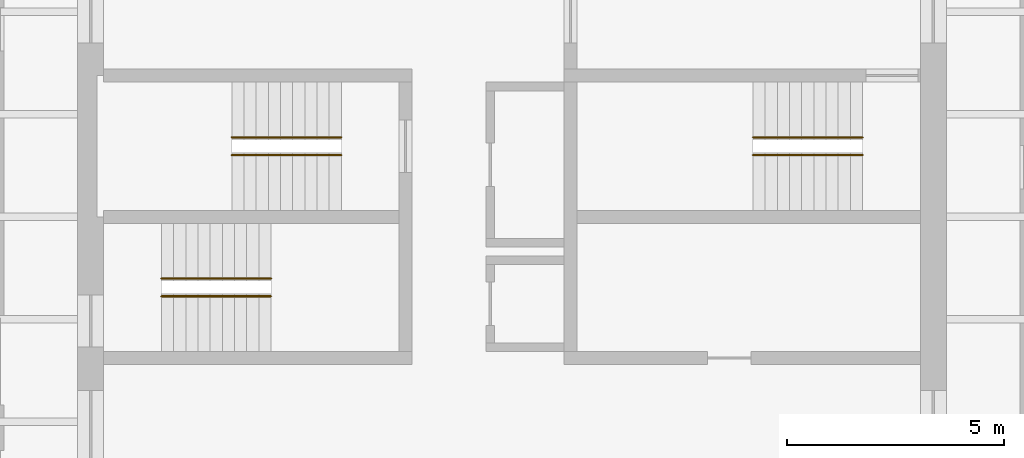
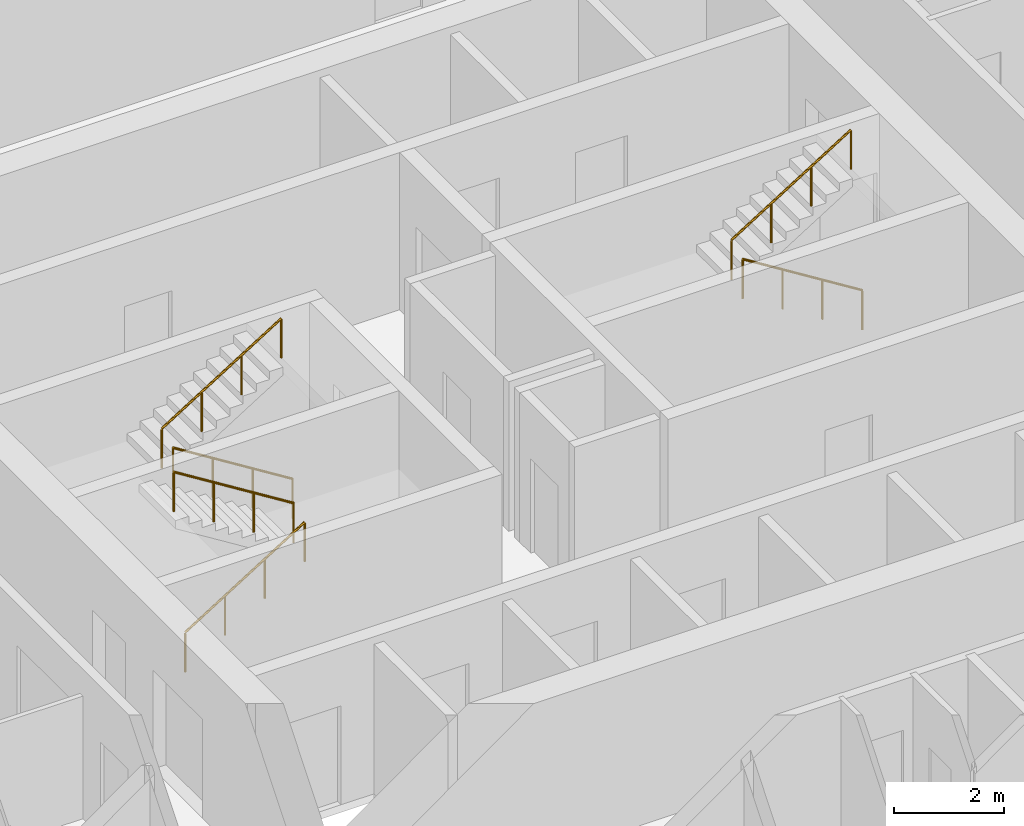
# One storey, part 9 of 9: 6 railings.
"""IFC4 building model written with IfcOpenShell, lengths in metres."""

from ifc_helpers import new_model, si_unit, direction, frame, origin, origin_2d, place, context, subcontext, project, spatial, circle, extrude, material, type_object, element, save


model = new_model("IFC4")

# Units and contexts
model_context = context("Model", 3, precision=1e-05, world=origin(), true_north=direction((0.0, 1.0)))
body_context = subcontext(model_context, "Body", "Model", "MODEL_VIEW")
ifc_project = project(units=[si_unit("LENGTHUNIT", "METRE"), si_unit("AREAUNIT", "SQUARE_METRE"), si_unit("VOLUMEUNIT", "CUBIC_METRE"), si_unit("PLANEANGLEUNIT", "RADIAN"), si_unit("MASSUNIT", "GRAM", prefix="KILO")], contexts=[model_context])

# Site, building, storey
site_placement = place(None, origin())
site = spatial("IfcSite", under=ifc_project, at=site_placement, CompositionType="ELEMENT")
building_placement = place(site_placement, origin())
building = spatial("IfcBuilding", under=site, at=building_placement, Name="Turquesa Mirador Hotel Tower", CompositionType="ELEMENT")
storey_placement = place(building_placement, frame((0.0, 0.0, 161.800048828125)))
storey = spatial("IfcBuildingStorey", under=building, at=storey_placement, Name="L43", CompositionType="ELEMENT", Elevation=161.800048828125)

# Railings
ifc_material = material(Name="Painted steel handrail", Category="steel")
railing_type = type_object("IfcRailingType", Name="HANDRAIL 900 STEEL", PredefinedType="HANDRAIL", material=ifc_material)
railing_1_placement = place(storey_placement, frame((51.070068359375, 46.419921875, 0.175048828125)))
element("IfcRailing", 1, at=railing_1_placement, inside=storey, type_object=railing_type, Name="Handrail ST1", PredefinedType="HANDRAIL", context=body_context, shape_type="SweptSolid", body=[
    extrude(circle(Radius=0.02392578125, at=origin_2d()), frame((0.0, 0.0, 0.8759765625), z_axis=(-0.848007534815, 0.0, 0.529984170421), x_axis=(0.0, -1.0, 0.0)), (0.0, 0.0, 1.0), 2.9716796875),
    extrude(circle(Radius=0.02099609375, at=origin_2d()), origin(), (0.0, 0.0, 1.0), 0.851806640625),
    extrude(circle(Radius=0.02099609375, at=origin_2d()), frame((-0.840087890625, 0.0, 0.52490234375)), (0.0, 0.0, 1.0), 0.851806640625),
    extrude(circle(Radius=0.02099609375, at=origin_2d()), frame((-1.679931640625, 0.0, 1.050048828125)), (0.0, 0.0, 1.0), 0.851806640625),
    extrude(circle(Radius=0.02099609375, at=origin_2d()), frame((-2.52001953125, 0.0, 1.574951171875)), (0.0, 0.0, 1.0), 0.851806640625),
])
for number, where, name in (
    (2, (48.550048828125, 46.830078125, 1.925048828125), "Handrail ST1"),
    (3, (46.929931640625, 43.169921875, 0.175048828125), "Handrail ST2"),
):
    element("IfcRailing", number, at=place(storey_placement, frame(where)), inside=storey, type_object=railing_type, Name=name, PredefinedType="HANDRAIL", context=body_context, shape_type="SweptSolid", body=[
        extrude(circle(Radius=0.02392578125, at=origin_2d()), frame((0.0, 0.0, 0.8759765625), z_axis=(0.848007534815, 0.0, 0.529984170421), x_axis=(0.0, 1.0, 0.0)), (0.0, 0.0, 1.0), 2.9716796875),
        extrude(circle(Radius=0.02099609375, at=origin_2d()), origin(), (0.0, 0.0, 1.0), 0.851806640625),
        extrude(circle(Radius=0.02099609375, at=origin_2d()), frame((0.840087890625, 0.0, 0.52490234375)), (0.0, 0.0, 1.0), 0.851806640625),
        extrude(circle(Radius=0.02099609375, at=origin_2d()), frame((1.679931640625, 0.0, 1.050048828125)), (0.0, 0.0, 1.0), 0.851806640625),
        extrude(circle(Radius=0.02099609375, at=origin_2d()), frame((2.52001953125, 0.0, 1.574951171875)), (0.0, 0.0, 1.0), 0.851806640625),
    ])
for number, where, name in (
    (4, (49.449951171875, 43.580078125, 1.925048828125), "Handrail ST2"),
    (5, (63.070068359375, 46.419921875, 0.175048828125), "Handrail ST3"),
):
    element("IfcRailing", number, at=place(storey_placement, frame(where)), inside=storey, type_object=railing_type, Name=name, PredefinedType="HANDRAIL", context=body_context, shape_type="SweptSolid", body=[
        extrude(circle(Radius=0.02392578125, at=origin_2d()), frame((0.0, 0.0, 0.8759765625), z_axis=(-0.848007534815, 0.0, 0.529984170421), x_axis=(0.0, -1.0, 0.0)), (0.0, 0.0, 1.0), 2.9716796875),
        extrude(circle(Radius=0.02099609375, at=origin_2d()), origin(), (0.0, 0.0, 1.0), 0.851806640625),
        extrude(circle(Radius=0.02099609375, at=origin_2d()), frame((-0.840087890625, 0.0, 0.52490234375)), (0.0, 0.0, 1.0), 0.851806640625),
        extrude(circle(Radius=0.02099609375, at=origin_2d()), frame((-1.679931640625, 0.0, 1.050048828125)), (0.0, 0.0, 1.0), 0.851806640625),
        extrude(circle(Radius=0.02099609375, at=origin_2d()), frame((-2.52001953125, 0.0, 1.574951171875)), (0.0, 0.0, 1.0), 0.851806640625),
    ])
railing_2_placement = place(storey_placement, frame((60.550048828125, 46.830078125, 1.925048828125)))
element("IfcRailing", 6, at=railing_2_placement, inside=storey, type_object=railing_type, Name="Handrail ST3", PredefinedType="HANDRAIL", context=body_context, shape_type="SweptSolid", body=[
    extrude(circle(Radius=0.02392578125, at=origin_2d()), frame((0.0, 0.0, 0.8759765625), z_axis=(0.848007534815, 0.0, 0.529984170421), x_axis=(0.0, 1.0, 0.0)), (0.0, 0.0, 1.0), 2.9716796875),
    extrude(circle(Radius=0.02099609375, at=origin_2d()), origin(), (0.0, 0.0, 1.0), 0.851806640625),
    extrude(circle(Radius=0.02099609375, at=origin_2d()), frame((0.840087890625, 0.0, 0.52490234375)), (0.0, 0.0, 1.0), 0.851806640625),
    extrude(circle(Radius=0.02099609375, at=origin_2d()), frame((1.679931640625, 0.0, 1.050048828125)), (0.0, 0.0, 1.0), 0.851806640625),
    extrude(circle(Radius=0.02099609375, at=origin_2d()), frame((2.52001953125, 0.0, 1.574951171875)), (0.0, 0.0, 1.0), 0.851806640625),
])

save(model, "model.ifc")
